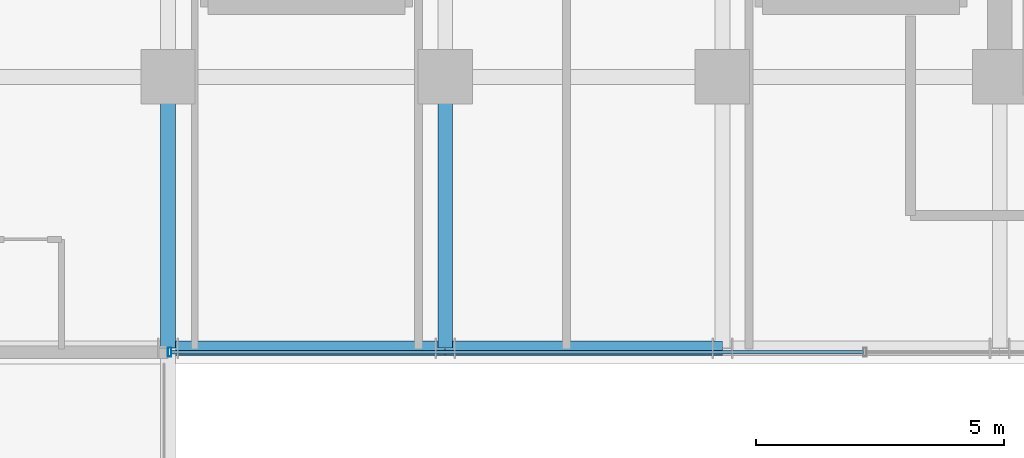
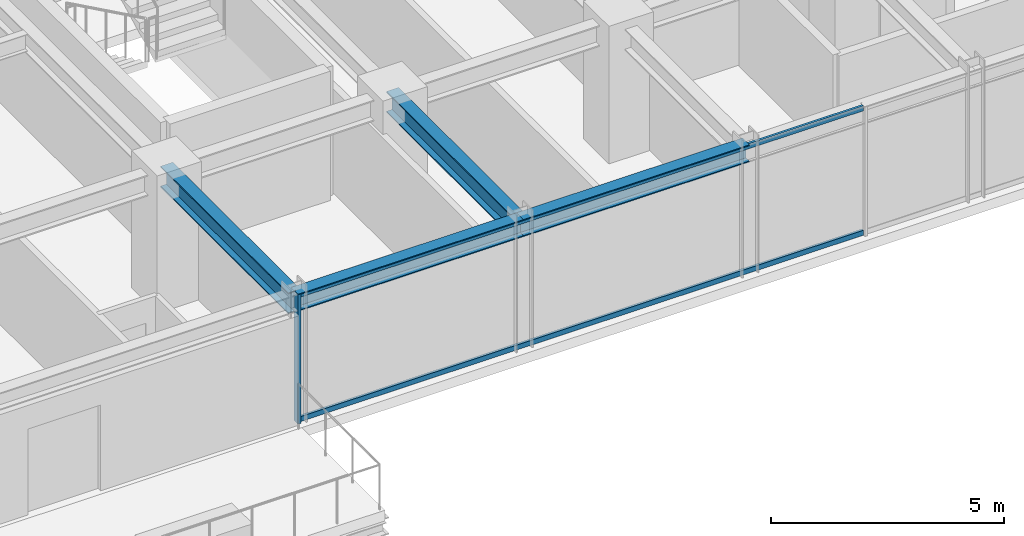
# One storey, part 6 of 31: 4 beams, 3 members, 1 element without a shape of its own.
"""IFC4 building model written with IfcOpenShell, lengths in metres."""

from ifc_helpers import new_model, si_unit, direction, frame, origin, origin_2d, place, context, subcontext, project, spatial, hollow_rectangle, i_section, extrude, source, transform, mapped, material, material_profile, profile_set, type_object, element, aggregate, save


model = new_model("IFC4")

# Units and contexts
model_context = context("Model", 3, precision=1e-05, world=origin(), true_north=direction((0.0, 1.0)))
body_context = subcontext(model_context, "Body", "Model", "MODEL_VIEW")
ifc_project = project(units=[si_unit("LENGTHUNIT", "METRE"), si_unit("AREAUNIT", "SQUARE_METRE"), si_unit("VOLUMEUNIT", "CUBIC_METRE"), si_unit("PLANEANGLEUNIT", "RADIAN"), si_unit("MASSUNIT", "GRAM", prefix="KILO")], contexts=[model_context])

# Site, building, storey
site_placement = place(None, origin())
site = spatial("IfcSite", under=ifc_project, at=site_placement, CompositionType="ELEMENT")
building_placement = place(site_placement, origin())
building = spatial("IfcBuilding", under=site, at=building_placement, Name="Nahalor Promenade Grand Hotel", CompositionType="ELEMENT")
storey_placement = place(building_placement, frame((0.0, 0.0, 156.300048828125)))
storey = spatial("IfcBuildingStorey", under=building, at=storey_placement, Name="L39", CompositionType="ELEMENT", Elevation=156.300048828125)

# Beams
ifc_material_1 = material(Name="Steel S355JR", Category="steel")
ifc_material_profile_1 = material_profile(ifc_material_1, i_section(OverallWidth=0.3, OverallDepth=0.55, WebThickness=0.015, FlangeThickness=0.029, at=origin_2d()), Name="HEB 550")
ifc_profile_set_1 = profile_set([ifc_material_profile_1], Name="Steel S355JR")
beam_type_1 = type_object("IfcBeamType", Name="Beam-Girder-HEB550", PredefinedType="BEAM", material=ifc_profile_set_1)
shared_shape_1 = source(origin(), body_context, "Body", "SweptSolid", [
    extrude(i_section(OverallWidth=0.3, OverallDepth=0.55, WebThickness=0.015, FlangeThickness=0.029, at=origin_2d()), origin(), (0.0, 0.0, 1.0), 5.47998046875),
])
for number, where, z_axis, x_axis, name in (
    (1, (-8.39990234375, -22.47998046875, 3.114990234375), (0.0, 1.0, 0.0), (-1.0, 0.0, 0.0), "BM-L39-GY-1-0"),
    (2, (-2.800048828125, -22.47998046875, 3.114990234375), (0.0, 1.0, 0.0), (-1.0, 0.0, 0.0), "BM-L39-GY-2-0"),
):
    element("IfcBeam", number, at=place(storey_placement, frame(where, z_axis=z_axis, x_axis=x_axis)), inside=storey, type_object=beam_type_1, Name=name, PredefinedType="BEAM", context=body_context, shape_type="MappedRepresentation", body=[
        mapped(shared_shape_1, transform((0.0, 0.0, 0.0), scale=1.0)),
    ])
ifc_material_profile_2 = material_profile(ifc_material_1, i_section(OverallWidth=0.3, OverallDepth=0.45, WebThickness=0.014, FlangeThickness=0.026, at=origin_2d()), Name="HEB 450")
ifc_profile_set_2 = profile_set([ifc_material_profile_2], Name="Steel S355JR")
beam_type_2 = type_object("IfcBeamType", Name="Beam-Spandrel-HEB450", PredefinedType="SPANDREL", material=ifc_profile_set_2)
shared_shape_2 = source(origin(), body_context, "Body", "SweptSolid", [
    extrude(i_section(OverallWidth=0.3, OverallDepth=0.45, WebThickness=0.014, FlangeThickness=0.026, at=origin_2d()), origin(), (0.0, 0.0, 1.0), 5.599853515625),
])
beam_1_placement = place(storey_placement, frame((-8.39990234375, -22.47998046875, 3.1650390625), z_axis=(1.0, 0.0, 0.0), x_axis=(0.0, 1.0, 0.0)))
element("IfcBeam", 3, at=beam_1_placement, inside=storey, type_object=beam_type_2, Name="BM-L39-SP-S-1", PredefinedType="SPANDREL", context=body_context, shape_type="MappedRepresentation", body=[
    mapped(shared_shape_2, transform((0.0, 0.0, 0.0), scale=1.0)),
])
shared_shape_3 = source(origin(), body_context, "Body", "SweptSolid", [
    extrude(i_section(OverallWidth=0.3, OverallDepth=0.45, WebThickness=0.014, FlangeThickness=0.026, at=origin_2d()), origin(), (0.0, 0.0, 1.0), 5.60009765625),
])
beam_2_placement = place(storey_placement, frame((-2.800048828125, -22.47998046875, 3.1650390625), z_axis=(1.0, 0.0, 0.0), x_axis=(0.0, 1.0, 0.0)))
element("IfcBeam", 4, at=beam_2_placement, inside=storey, type_object=beam_type_2, Name="BM-L39-SP-S-2", PredefinedType="SPANDREL", context=body_context, shape_type="MappedRepresentation", body=[
    mapped(shared_shape_3, transform((0.0, 0.0, 0.0), scale=1.0)),
])

# Curtain wall, members
ifc_material_2 = material(Name="Anodised Bronze Aluminium EN AW-6063 T6", Category="aluminium")
curtain_wall_type = type_object("IfcCurtainWallType", Name="CW2 Typical Hotel Flush Bronze Unitised Curtain Wall", PredefinedType="USERDEFINED", material=ifc_material_2)
curtain_wall_placement = place(storey_placement, origin())
curtain_wall = element("IfcCurtainWall", 5, at=curtain_wall_placement, inside=storey, type_object=curtain_wall_type, Name="L39 Curtain Wall CW-L39-S-3", ObjectType="UNITISED_CURTAIN_WALL", PredefinedType="USERDEFINED")
ifc_material_profile_3 = material_profile(ifc_material_2, hollow_rectangle(XDim=0.065, YDim=0.18, WallThickness=0.004, at=origin_2d()), Name="CWM 65x180x4")
ifc_profile_set_3 = profile_set([ifc_material_profile_3], Name="Anodised Bronze Aluminium EN AW-6063 T6")
member_type_1 = type_object("IfcMemberType", Name="CWM2 Typical Bronze Mullion 65x180", PredefinedType="MULLION", material=ifc_profile_set_3)
shared_shape_4 = source(origin(), body_context, "Body", "SweptSolid", [
    extrude(hollow_rectangle(XDim=0.065, YDim=0.18, WallThickness=0.004, at=origin_2d()), origin(), (0.0, 0.0, 1.0), 3.389892578125),
])
member_1_placement = place(storey_placement, frame((-8.367431640625, -22.56005859375, 0.0), z_axis=(0.0, 0.0, 1.0), x_axis=(1.0, 0.0, 0.0)))
member_1 = element("IfcMember", 6, at=member_1_placement, type_object=member_type_1, Name="CW-L39-S-3 Mullion 0", PredefinedType="MULLION", context=body_context, shape_type="MappedRepresentation", body=[
    mapped(shared_shape_4, transform((0.0, 0.0, 0.0), scale=1.0)),
])
ifc_material_profile_4 = material_profile(ifc_material_2, hollow_rectangle(XDim=0.065, YDim=0.13, WallThickness=0.004, at=origin_2d()), Name="CWT 65x130x4")
ifc_profile_set_4 = profile_set([ifc_material_profile_4], Name="Anodised Bronze Aluminium EN AW-6063 T6")
member_type_2 = type_object("IfcMemberType", Name="CWT2 Typical Bronze Transom 65x130", PredefinedType="USERDEFINED", material=ifc_profile_set_4)
shared_shape_5 = source(origin(), body_context, "Body", "SweptSolid", [
    extrude(hollow_rectangle(XDim=0.065, YDim=0.13, WallThickness=0.004, at=origin_2d()), origin(), (0.0, 0.0, 1.0), 13.982421875),
])
member_2_placement = place(storey_placement, frame((-8.3349609375, -22.56005859375, 0.06494140625), z_axis=(1.0, 0.0, 0.0), x_axis=(0.0, 1.0, 0.0)))
member_2 = element("IfcMember", 7, at=member_2_placement, type_object=member_type_2, Name="CW-L39-S-3 Transom 0-0", ObjectType="TRANSOM", PredefinedType="USERDEFINED", context=body_context, shape_type="MappedRepresentation", body=[
    mapped(shared_shape_5, transform((0.0, 0.0, 0.0), scale=1.0)),
])
member_3_placement = place(storey_placement, frame((-8.3349609375, -22.56005859375, 3.324951171875), z_axis=(1.0, 0.0, 0.0), x_axis=(0.0, 1.0, 0.0)))
member_3 = element("IfcMember", 8, at=member_3_placement, type_object=member_type_2, Name="CW-L39-S-3 Transom 0-1", ObjectType="TRANSOM", PredefinedType="USERDEFINED", context=body_context, shape_type="MappedRepresentation", body=[
    mapped(shared_shape_5, transform((0.0, 0.0, 0.0), scale=1.0)),
])
aggregate(curtain_wall, [member_1, member_2, member_3])

save(model, "model.ifc")
